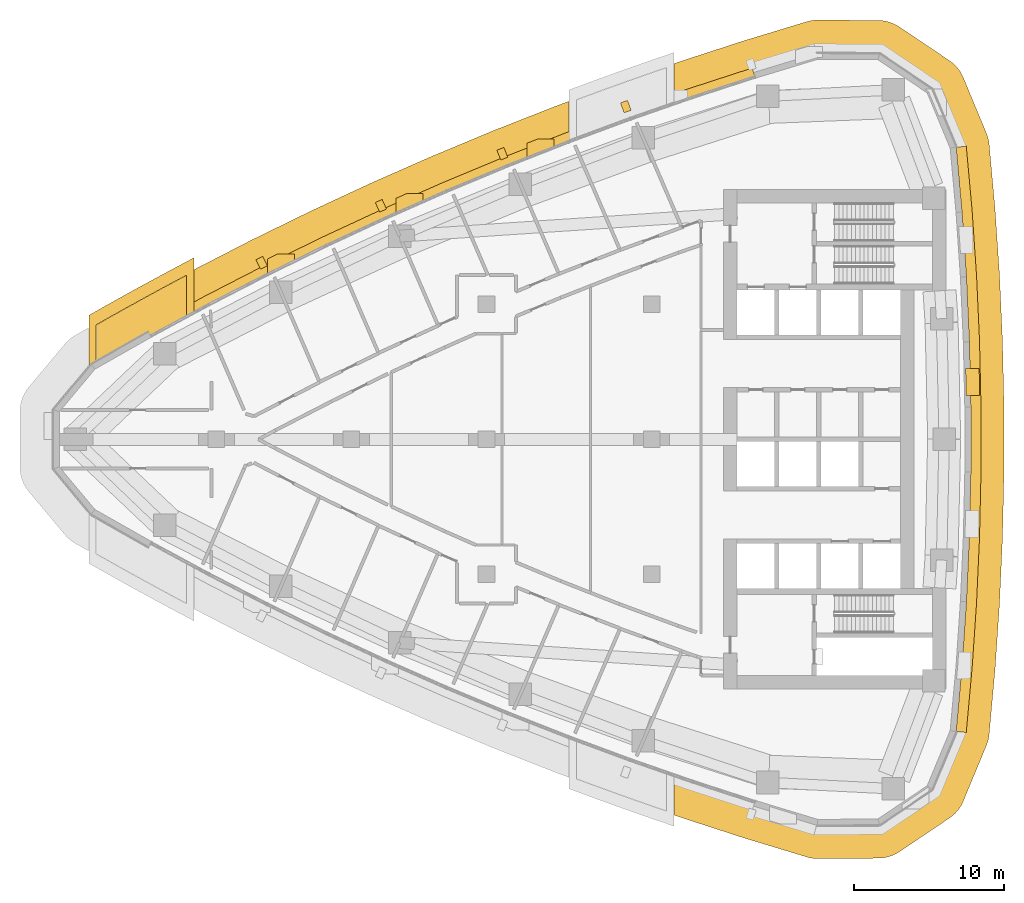
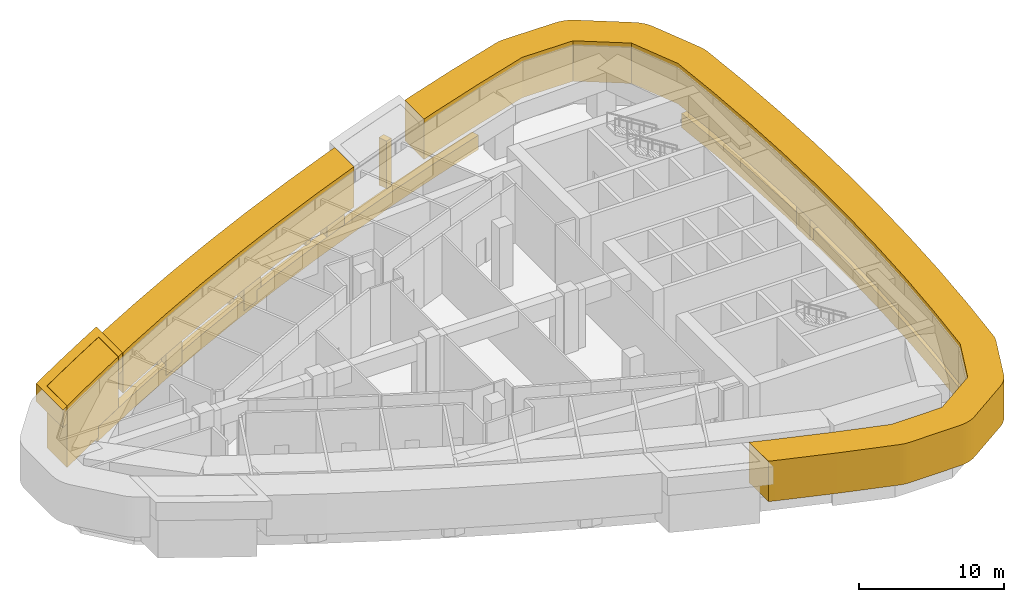
# One storey, part 17 of 18: 14 coverings.
"""IFC4 building model written with IfcOpenShell, lengths in metres."""

from ifc_helpers import new_model, si_unit, direction, frame, frame_2d, origin, place, context, subcontext, project, spatial, polyline, rectangle, outline, extrude, material, layer, layer_set, type_object, element, save


model = new_model("IFC4")

# Units and contexts
model_context = context("Model", 3, precision=1e-05, world=origin(), true_north=direction((0.0, 1.0)))
body_context = subcontext(model_context, "Body", "Model", "MODEL_VIEW")
ifc_project = project(units=[si_unit("LENGTHUNIT", "METRE"), si_unit("AREAUNIT", "SQUARE_METRE"), si_unit("VOLUMEUNIT", "CUBIC_METRE"), si_unit("PLANEANGLEUNIT", "RADIAN"), si_unit("MASSUNIT", "GRAM", prefix="KILO")], contexts=[model_context])

# Site, building, storey
site_placement = place(None, origin())
site = spatial("IfcSite", under=ifc_project, at=site_placement, CompositionType="ELEMENT")
building_placement = place(site_placement, origin())
building = spatial("IfcBuilding", under=site, at=building_placement, Name="Ostrand Prow Hotel Tower", CompositionType="ELEMENT")
storey_placement = place(building_placement, frame((0.0, 0.0, 165.699951171875)))
storey = spatial("IfcBuildingStorey", under=building, at=storey_placement, Name="L41", CompositionType="ELEMENT", Elevation=165.699951171875)

# Coverings
ifc_material_1 = material(Name="Limestone cladding", Category="masonry")
ifc_layer_1 = layer(ifc_material_1, 2.0)
ifc_layer_set_1 = layer_set([ifc_layer_1], Name="Limestone cladding")
covering_type_1 = type_object("IfcCoveringType", Name="Belt lip limestone", PredefinedType="CLADDING", material=ifc_layer_set_1)
covering_1_placement = place(storey_placement, frame((0.0, 0.0, 1.800048828125)))
element("IfcCovering", 1, at=covering_1_placement, inside=storey, type_object=covering_type_1, Name="Belt L41 3", PredefinedType="CLADDING", context=body_context, shape_type="SweptSolid", body=[
    extrude(outline(polyline([(18.252197265625, 13.235595703125), (14.510009765625, 11.3095703125), (14.510009765625, 8.476806640625), (14.510009765625, 8.4755859375), (14.509765625, 8.474609375), (14.509521484375, 8.473876953125), (14.50927734375, 8.472900390625), (14.5087890625, 8.471923828125), (14.5087890625, 8.4716796875), (15.49609375, 9.00537109375), (19.396240234375, 11.0126953125), (23.335693359375, 12.941162109375), (27.3134765625, 14.7900390625), (31.327392578125, 16.55859375), (35.376220703125, 18.24609375), (39.457763671875, 19.85205078125), (39.49072265625, 19.864501953125), (39.49072265625, 19.864501953125), (39.490478515625, 19.865478515625), (39.490234375, 19.8662109375), (39.489990234375, 19.8671875), (39.489990234375, 19.8681640625), (39.489990234375, 22.530029296875), (38.589599609375, 22.196533203125), (38.54248046875, 22.1787109375), (34.460693359375, 20.57275390625), (34.414306640625, 20.5537109375), (30.365478515625, 18.8662109375), (30.3193359375, 18.846435546875), (26.305419921875, 17.077880859375), (26.259521484375, 17.05712890625), (22.281982421875, 15.2080078125), (22.23681640625, 15.1865234375), (18.297119140625, 13.258056640625), (18.252197265625, 13.235595703125)])), origin(), (0.0, 0.0, 1.0), 3.39990234375),
])
covering_2_placement = place(storey_placement, frame((0.0, 0.0, 1.800048828125)))
element("IfcCovering", 2, at=covering_2_placement, inside=storey, type_object=covering_type_1, Name="Belt L41 4", PredefinedType="CLADDING", context=body_context, shape_type="SweptSolid", body=[
    extrude(outline(polyline([(46.89306640625, 25.177490234375), (46.510009765625, 25.04443359375), (46.510009765625, 22.40380859375), (46.510009765625, 22.40283203125), (46.509765625, 22.40185546875), (46.509521484375, 22.40087890625), (46.50927734375, 22.400146484375), (46.5087890625, 22.399169921875), (46.50830078125, 22.3984375), (46.5078125, 22.397705078125), (46.507080078125, 22.39697265625), (46.5068359375, 22.396484375), (47.714111328125, 22.81640625), (51.88525390625, 24.17333984375), (56.082763671875, 25.4462890625), (60.1162109375, 25.41455078125), (63.46240234375, 23.16259765625), (65.010498046875, 19.438232421875), (65.4013671875, 15.12890625), (65.6943359375, 10.81201171875), (65.889892578125, 6.489501953125), (65.98779296875, 2.16357421875), (65.98779296875, -2.16357421875), (65.889892578125, -6.489501953125), (65.6943359375, -10.81201171875), (65.4013671875, -15.12890625), (65.010498046875, -19.438232421875), (63.46240234375, -23.16259765625), (60.1162109375, -25.41455078125), (56.082763671875, -25.4462890625), (51.88525390625, -24.17333984375), (47.714111328125, -22.81640625), (46.5068359375, -22.396484375), (46.507080078125, -22.39697265625), (46.5078125, -22.397705078125), (46.50830078125, -22.3984375), (46.5087890625, -22.399169921875), (46.50927734375, -22.400146484375), (46.509521484375, -22.40087890625), (46.509765625, -22.40185546875), (46.510009765625, -22.40283203125), (46.510009765625, -22.40380859375), (46.510009765625, -25.04443359375), (46.89306640625, -25.177490234375), (46.940673828125, -25.193603515625), (51.11181640625, -26.55078125), (51.15966796875, -26.565673828125), (55.357177734375, -27.838623046875), (55.6015625, -27.8994140625), (55.850830078125, -27.935546875), (56.102294921875, -27.9462890625), (60.1357421875, -27.91455078125), (60.378662109375, -27.90087890625), (60.619384765625, -27.863525390625), (60.85498046875, -27.802978515625), (61.083984375, -27.7197265625), (61.303466796875, -27.614501953125), (61.51171875, -27.48876953125), (64.858154296875, -25.23681640625), (65.05322265625, -25.09130859375), (65.2333984375, -24.92724609375), (65.396484375, -24.74658203125), (65.54150390625, -24.551025390625), (65.66650390625, -24.34228515625), (65.77099609375, -24.122314453125), (67.319091796875, -20.397705078125), (67.404296875, -20.159912109375), (67.46484375, -19.914306640625), (67.50048828125, -19.663818359375), (67.89111328125, -15.3544921875), (67.8955078125, -15.29833984375), (68.188720703125, -10.981201171875), (68.19189453125, -10.9248046875), (68.387451171875, -6.602294921875), (68.389404296875, -6.5458984375), (68.487060546875, -2.219970703125), (68.48779296875, -2.16357421875), (68.48779296875, 2.16357421875), (68.487060546875, 2.219970703125), (68.389404296875, 6.5458984375), (68.387451171875, 6.602294921875), (68.19189453125, 10.9248046875), (68.188720703125, 10.981201171875), (67.8955078125, 15.29833984375), (67.89111328125, 15.3544921875), (67.50048828125, 19.663818359375), (67.46484375, 19.914306640625), (67.404296875, 20.159912109375), (67.319091796875, 20.397705078125), (65.77099609375, 24.122314453125), (65.66650390625, 24.34228515625), (65.54150390625, 24.551025390625), (65.396484375, 24.74658203125), (65.2333984375, 24.92724609375), (65.05322265625, 25.09130859375), (64.858154296875, 25.23681640625), (61.51171875, 27.48876953125), (61.303466796875, 27.614501953125), (61.083984375, 27.7197265625), (60.85498046875, 27.802978515625), (60.619384765625, 27.863525390625), (60.378662109375, 27.90087890625), (60.1357421875, 27.91455078125), (56.102294921875, 27.9462890625), (55.850830078125, 27.935546875), (55.6015625, 27.8994140625), (55.357177734375, 27.838623046875), (51.15966796875, 26.565673828125), (51.11181640625, 26.55078125), (46.940673828125, 25.193603515625), (46.89306640625, 25.177490234375)])), origin(), (0.0, 0.0, 1.0), 3.39990234375),
])
covering_3_placement = place(storey_placement, origin())
element("IfcCovering", 3, at=covering_3_placement, inside=storey, type_object=covering_type_1, Name="Belt fin 11 L41", PredefinedType="CLADDING", context=body_context, shape_type="SweptSolid", body=[
    extrude(outline(polyline([(66.850341796875, 3.83349609375), (66.830078125, 4.723388671875), (65.929931640625, 4.723388671875), (65.970703125, 2.92333984375), (66.850341796875, 2.92333984375), (66.850341796875, 3.83349609375)])), origin(), (0.0, 0.0, 1.0), 1.800048828125),
])
covering_4_placement = place(storey_placement, origin())
element("IfcCovering", 4, at=covering_4_placement, inside=storey, type_object=covering_type_1, Name="Belt fin 16 L41", PredefinedType="CLADDING", context=body_context, shape_type="SweptSolid", body=[
    extrude(outline(polyline([(37.43408203125, 20.023193359375), (36.704833984375, 19.736083984375), (36.704833984375, 18.76904296875), (38.5048828125, 19.477294921875), (38.5048828125, 20.023193359375), (37.43408203125, 20.023193359375)])), origin(), (0.0, 0.0, 1.0), 1.800048828125),
])
covering_5_placement = place(storey_placement, origin())
element("IfcCovering", 5, at=covering_5_placement, inside=storey, type_object=covering_type_1, Name="Belt fin 17 L41", PredefinedType="CLADDING", context=body_context, shape_type="SweptSolid", body=[
    extrude(outline(polyline([(28.689453125, 16.3798828125), (27.97900390625, 16.066650390625), (27.97900390625, 15.083251953125), (29.77880859375, 15.87646484375), (29.77880859375, 16.3798828125), (28.689453125, 16.3798828125)])), origin(), (0.0, 0.0, 1.0), 1.800048828125),
])
covering_6_placement = place(storey_placement, origin())
element("IfcCovering", 6, at=covering_6_placement, inside=storey, type_object=covering_type_1, Name="Belt fin 18 L41", PredefinedType="CLADDING", context=body_context, shape_type="SweptSolid", body=[
    extrude(outline(polyline([(20.109619140625, 12.364013671875), (19.418212890625, 12.025390625), (19.418212890625, 11.023193359375), (21.218017578125, 11.904296875), (21.218017578125, 12.364013671875), (20.109619140625, 12.364013671875)])), origin(), (0.0, 0.0, 1.0), 1.800048828125),
])
ifc_material_2 = material(Name="Bronze anodised aluminium cladding", Category="aluminium")
ifc_layer_2 = layer(ifc_material_2, 0.60009765625)
ifc_layer_set_2 = layer_set([ifc_layer_2], Name="Bronze anodised aluminium cladding")
covering_type_2 = type_object("IfcCoveringType", Name="Bronze spandrel band 1200x600", PredefinedType="CLADDING", material=ifc_layer_set_2)
covering_7_placement = place(storey_placement, frame((0.0, 0.0, -0.300048828125)))
element("IfcCovering", 7, at=covering_7_placement, inside=storey, type_object=covering_type_2, Name="Spandrel band N1", PredefinedType="CLADDING", context=body_context, shape_type="SweptSolid", body=[
    extrude(outline(polyline([(51.705322265625, 24.74560546875), (47.522705078125, 23.385009765625), (43.368408203125, 21.9404296875), (39.243896484375, 20.41259765625), (35.15087890625, 18.80224609375), (31.091064453125, 17.110107421875), (27.06591796875, 15.336669921875), (23.077392578125, 13.482666015625), (19.126953125, 11.548828125), (15.21630859375, 9.535888671875), (11.3466796875, 7.445068359375), (11.63720703125, 6.920166015625), (15.49609375, 9.00537109375), (19.396240234375, 11.0126953125), (23.335693359375, 12.941162109375), (27.3134765625, 14.7900390625), (31.327392578125, 16.55859375), (35.376220703125, 18.24609375), (39.457763671875, 19.85205078125), (43.571044921875, 21.375732421875), (47.714111328125, 22.81640625), (51.88525390625, 24.17333984375), (51.705322265625, 24.74560546875)])), origin(), (0.0, 0.0, 1.0), 1.2001953125),
])
covering_8_placement = place(storey_placement, frame((0.0, 0.0, -0.300048828125)))
element("IfcCovering", 8, at=covering_8_placement, inside=storey, type_object=covering_type_2, Name="Spandrel band back 3", PredefinedType="CLADDING", context=body_context, shape_type="SweptSolid", body=[
    extrude(outline(polyline([(65.973388671875, -19.53662109375), (66.3662109375, -15.205322265625), (66.66064453125, -10.86669921875), (66.857177734375, -6.522216796875), (66.95556640625, -2.17431640625), (66.95556640625, 2.17431640625), (66.857177734375, 6.522216796875), (66.66064453125, 10.86669921875), (66.3662109375, 15.205322265625), (65.973388671875, 19.53662109375), (65.296875, 19.467529296875), (65.688232421875, 15.151611328125), (65.981689453125, 10.828125), (66.177490234375, 6.4990234375), (66.275634765625, 2.166748046875), (66.275634765625, -2.166748046875), (66.177490234375, -6.4990234375), (65.981689453125, -10.828125), (65.688232421875, -15.151611328125), (65.296875, -19.467529296875), (65.973388671875, -19.53662109375)])), origin(), (0.0, 0.0, 1.0), 1.2001953125),
])
ifc_material_3 = material(Name="Limestone cladding", Category="masonry")
ifc_layer_3 = layer(ifc_material_3, 5.0)
ifc_layer_set_3 = layer_set([ifc_layer_3], Name="Limestone cladding")
covering_type_3 = type_object("IfcCoveringType", Name="Portal jamb pilaster limestone", PredefinedType="CLADDING", material=ifc_layer_set_3)
covering_9_placement = place(storey_placement, origin())
element("IfcCovering", 9, at=covering_9_placement, inside=storey, type_object=covering_type_3, Name="Portal jamb NA L41", PredefinedType="CLADDING", context=body_context, shape_type="SweptSolid", body=[
    extrude(outline(polyline([(8.0, 4.861572265625), (9.0, 5.436767578125), (10.0, 6.0048828125), (11.0, 6.566162109375), (12.0, 7.12060546875), (13.0, 7.66796875), (14.0, 8.208740234375), (14.0, 10.92919921875), (13.0, 10.39599609375), (12.0, 9.856201171875), (11.0, 9.3095703125), (10.0, 8.75634765625), (9.0, 8.1962890625), (8.0, 7.62939453125), (8.0, 4.861572265625)])), origin(), (0.0, 0.0, 1.0), 5.199951171875),
])
ifc_material_4 = material(Name="Limestone cladding", Category="masonry")
ifc_layer_4 = layer(ifc_material_4, 4.0)
ifc_layer_set_4 = layer_set([ifc_layer_4], Name="Limestone cladding")
covering_type_4 = type_object("IfcCoveringType", Name="Portal lintel limestone", PredefinedType="CLADDING", material=ifc_layer_set_4)
covering_10_placement = place(storey_placement, frame((0.0, 0.0, 3.699951171875)))
element("IfcCovering", 10, at=covering_10_placement, inside=storey, type_object=covering_type_4, Name="Portal jamb cap NA L41", PredefinedType="CLADDING", context=body_context, shape_type="SweptSolid", body=[
    extrude(outline(polyline([(7.5, 8.26513671875), (7.5, 4.5712890625), (7.99169921875, 4.85595703125), (7.99169921875, 4.85595703125), (7.9912109375, 4.856689453125), (7.99072265625, 4.857666015625), (7.990478515625, 4.858642578125), (7.990234375, 4.859619140625), (7.989990234375, 4.860595703125), (7.989990234375, 4.861572265625), (7.989990234375, 7.62939453125), (7.989990234375, 7.63037109375), (7.990234375, 7.63134765625), (7.990478515625, 7.632080078125), (7.99072265625, 7.633056640625), (7.9912109375, 7.634033203125), (7.99169921875, 7.634765625), (7.9921875, 7.635498046875), (7.992919921875, 7.63623046875), (7.993408203125, 7.636962890625), (7.994384765625, 7.6376953125), (7.9951171875, 7.63818359375), (8.9951171875, 8.205078125), (8.9951171875, 8.205078125), (9.9951171875, 8.76513671875), (9.9951171875, 8.76513671875), (10.9951171875, 9.318359375), (10.9951171875, 9.318359375), (11.9951171875, 9.864990234375), (11.9951171875, 9.864990234375), (12.9951171875, 10.40478515625), (12.995361328125, 10.40478515625), (13.995361328125, 10.93798828125), (13.99609375, 10.9384765625), (13.9970703125, 10.938720703125), (13.998046875, 10.93896484375), (13.9990234375, 10.939208984375), (14.0, 10.939208984375), (14.0009765625, 10.939208984375), (14.001953125, 10.93896484375), (14.0029296875, 10.938720703125), (14.00390625, 10.9384765625), (14.004638671875, 10.93798828125), (14.005615234375, 10.9375), (14.00634765625, 10.93701171875), (14.007080078125, 10.936279296875), (14.0078125, 10.935546875), (14.00830078125, 10.934814453125), (14.0087890625, 10.933837890625), (14.00927734375, 10.93310546875), (14.009521484375, 10.931884765625), (14.009765625, 10.93115234375), (14.010009765625, 10.93017578125), (14.010009765625, 10.92919921875), (14.010009765625, 8.21337890625), (14.5, 8.476806640625), (14.5, 12.096923828125), (13.5, 11.569580078125), (12.5, 11.035400390625), (11.5, 10.494873046875), (10.5, 9.947509765625), (9.5, 9.3935546875), (8.5, 8.832763671875), (7.5, 8.26513671875)])), origin(), (0.0, 0.0, 1.0), 1.5),
])
ifc_material_5 = material(Name="Limestone cladding", Category="masonry")
ifc_layer_5 = layer(ifc_material_5, 0.5)
ifc_layer_set_5 = layer_set([ifc_layer_5], Name="Limestone cladding")
covering_type_5 = type_object("IfcCoveringType", Name="Precast stone fin 500x600", PredefinedType="CLADDING", material=ifc_layer_set_5)
covering_11_placement = place(storey_placement, frame((43.402099609375, 21.84619140625, 0.900146484375), z_axis=(0.0, 0.0, 1.0), x_axis=(-0.337904356877, 0.941180453263, 0.0)))
element("IfcCovering", 11, at=covering_11_placement, inside=storey, type_object=covering_type_5, Name="Stone fin N 3", PredefinedType="CLADDING", context=body_context, shape_type="SweptSolid", body=[
    extrude(rectangle(XDim=0.7001953125, YDim=0.5, at=frame_2d((0.35009765625, 0.0))), origin(), (0.0, 0.0, 1.0), 4.0),
])
for number, where, z_axis, x_axis, name in (
    (12, (35.188232421875, 18.709716796875, 0.900146484375), (0.0, 0.0, 1.0), (-0.375356894071, 0.926880360173, 0.0), "Stone fin N 5"),
    (13, (27.107177734375, 15.24560546875, 0.900146484375), (0.0, 0.0, 1.0), (-0.412278168788, 0.911058017659, 0.0), "Stone fin N 7"),
    (14, (19.171875, 11.45947265625, 0.900146484375), (0.0, 0.0, 1.0), (-0.448608411822, 0.893728422309, 0.0), "Stone fin N 9"),
):
    element("IfcCovering", number, at=place(storey_placement, frame(where, z_axis=z_axis, x_axis=x_axis)), inside=storey, type_object=covering_type_5, Name=name, PredefinedType="CLADDING", context=body_context, shape_type="SweptSolid", body=[
        extrude(rectangle(XDim=0.699951171875, YDim=0.5, at=frame_2d((0.35009765625, 0.0))), origin(), (0.0, 0.0, 1.0), 4.0),
    ])

save(model, "model.ifc")
